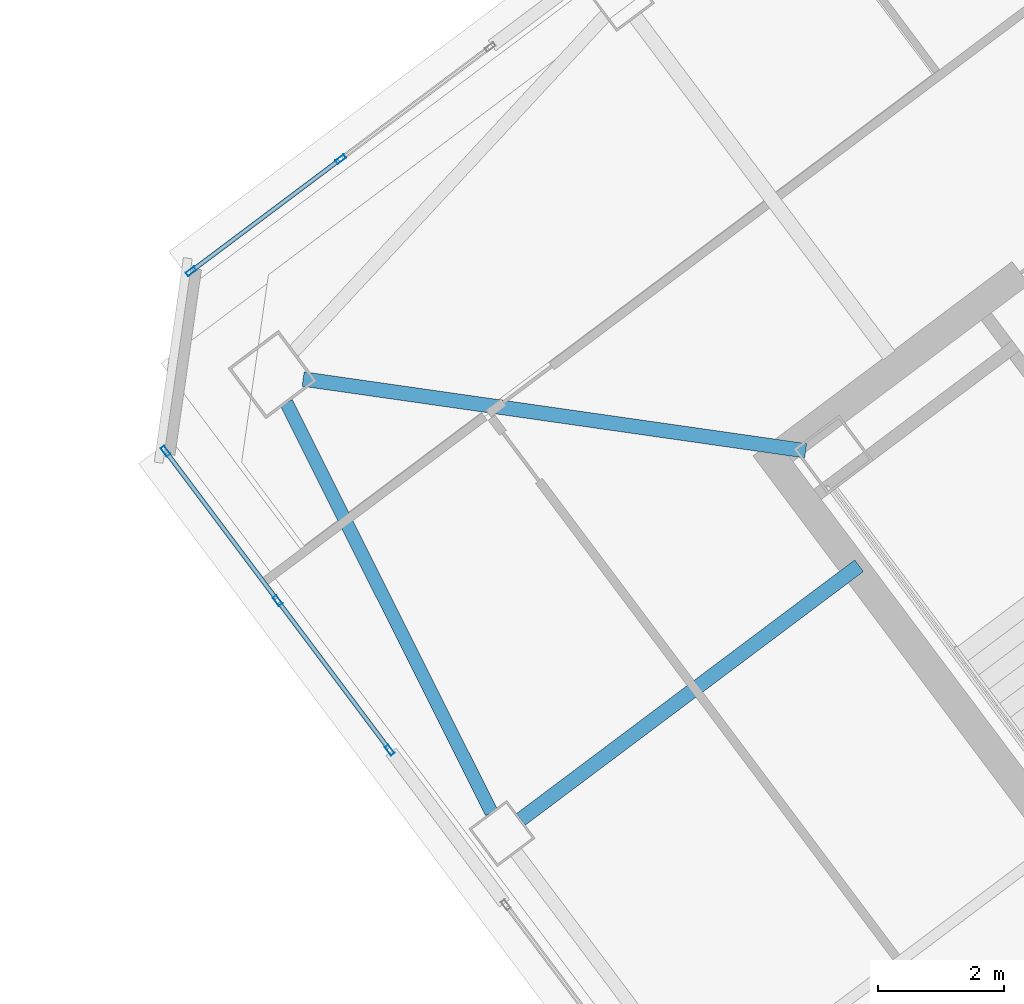
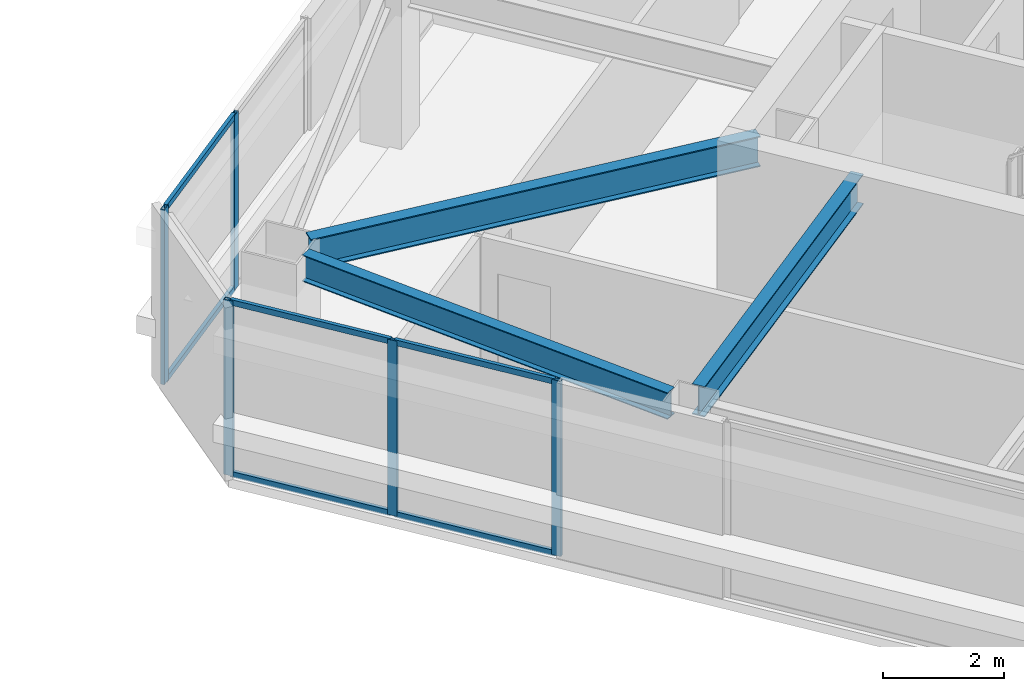
# One storey, part 19 of 39: 11 members, 3 beams, 2 elements without a shape of their own.
"""IFC4 building model written with IfcOpenShell, lengths in metres."""

from ifc_helpers import new_model, si_unit, direction, frame, origin, origin_2d, place, context, subcontext, project, spatial, hollow_rectangle, i_section, extrude, material, material_profile, profile_set, type_object, element, aggregate, save


model = new_model("IFC4")

# Units and contexts
model_context = context("Model", 3, precision=1e-05, world=origin(), true_north=direction((0.0, 1.0)))
body_context = subcontext(model_context, "Body", "Model", "MODEL_VIEW")
ifc_project = project(units=[si_unit("LENGTHUNIT", "METRE"), si_unit("AREAUNIT", "SQUARE_METRE"), si_unit("VOLUMEUNIT", "CUBIC_METRE"), si_unit("PLANEANGLEUNIT", "RADIAN"), si_unit("MASSUNIT", "GRAM", prefix="KILO")], contexts=[model_context])

# Site, building, storey
site_placement = place(None, origin())
site = spatial("IfcSite", under=ifc_project, at=site_placement, CompositionType="ELEMENT")
building_placement = place(site_placement, origin())
building = spatial("IfcBuilding", under=site, at=building_placement, Name="Tashvorn Skyway Center", CompositionType="ELEMENT")
storey_placement = place(building_placement, frame((0.0, 0.0, 214.85009765625)))
storey = spatial("IfcBuildingStorey", under=building, at=storey_placement, Name="L58", CompositionType="ELEMENT", Elevation=214.85009765625)

# Beams
ifc_material_1 = material(Name="Steel ASTM A992 Grade 50", Category="steel")
ifc_material_profile_1 = material_profile(ifc_material_1, i_section(OverallWidth=0.22998046875, OverallDepth=0.616943359375, WebThickness=0.01318359375, FlangeThickness=0.022216796875, at=origin_2d()), Name="W24X94")
ifc_profile_set_1 = profile_set([ifc_material_profile_1], Name="Steel ASTM A992 Grade 50")
beam_type_1 = type_object("IfcBeamType", Name="BM-BEAM-W24X94", PredefinedType="BEAM", material=ifc_profile_set_1)
beam_1_placement = place(storey_placement, frame((95.72998046875, 34.610107421875, 3.0615234375), z_axis=(0.989947064346, -0.141438360399, 0.0), x_axis=(0.141438360399, 0.989947064346, 0.0)))
element("IfcBeam", 1, at=beam_1_placement, inside=storey, type_object=beam_type_1, Name="Tower 2 L58 Primary Floor Girder MC-NW", PredefinedType="BEAM", context=body_context, shape_type="SweptSolid", body=[
    extrude(i_section(OverallWidth=0.22998046875, OverallDepth=0.616943359375, WebThickness=0.01318359375, FlangeThickness=0.022216796875, at=origin_2d()), origin(), (0.0, 0.0, 1.0), 8.040283203125),
])
beam_2_placement = place(storey_placement, frame((99.176025390625, 27.632080078125, 3.0615234375), z_axis=(0.799991254452, 0.600011660554, 0.0), x_axis=(-0.600011660554, 0.799991254452, 0.0)))
element("IfcBeam", 2, at=beam_2_placement, inside=storey, type_object=beam_type_1, Name="Tower 2 L58 Primary Floor Girder FC-W1", PredefinedType="BEAM", context=body_context, shape_type="SweptSolid", body=[
    extrude(i_section(OverallWidth=0.22998046875, OverallDepth=0.616943359375, WebThickness=0.01318359375, FlangeThickness=0.022216796875, at=origin_2d()), origin(), (0.0, 0.0, 1.0), 6.699951171875),
])
ifc_material_profile_2 = material_profile(ifc_material_1, i_section(OverallWidth=0.2109375, OverallDepth=0.5390625, WebThickness=0.01171875, FlangeThickness=0.018798828125, at=origin_2d()), Name="W21X73")
ifc_profile_set_2 = profile_set([ifc_material_profile_2], Name="Steel ASTM A992 Grade 50")
beam_type_2 = type_object("IfcBeamType", Name="BM-SPANDREL-W21X73", PredefinedType="SPANDREL", material=ifc_profile_set_2)
beam_3_placement = place(storey_placement, frame((95.461669921875, 34.2373046875, 3.100341796875), z_axis=(0.447710870872, -0.894178380472, 0.0), x_axis=(0.894178380472, 0.447710870872, 0.0)))
element("IfcBeam", 3, at=beam_3_placement, inside=storey, type_object=beam_type_2, Name="Tower 2 L58 Spandrel Beam 10", PredefinedType="SPANDREL", context=body_context, shape_type="SweptSolid", body=[
    extrude(i_section(OverallWidth=0.2109375, OverallDepth=0.5390625, WebThickness=0.01171875, FlangeThickness=0.018798828125, at=origin_2d()), origin(), (0.0, 0.0, 1.0), 7.26513671875),
])

# Curtain wall, members
ifc_material_2 = material(Name="Thermally broken bronze-anodized aluminium 6063-T6", Category="aluminium")
curtain_wall_type = type_object("IfcCurtainWallType", Name="CW-CW-Z5", PredefinedType="NOTDEFINED", material=ifc_material_2)
curtain_wall_1_placement = place(storey_placement, origin())
curtain_wall_1 = element("IfcCurtainWall", 4, at=curtain_wall_1_placement, inside=storey, type_object=curtain_wall_type, Name="Tower 2 L58 West Unitised Curtain Wall Glazing Group 3", PredefinedType="NOTDEFINED")
ifc_material_profile_3 = material_profile(ifc_material_2, hollow_rectangle(XDim=0.070068359375, YDim=0.1650390625, WallThickness=0.00390625, at=origin_2d()), Name="ALU-MULL-70x165")
ifc_profile_set_3 = profile_set([ifc_material_profile_3], Name="Thermally broken bronze-anodized aluminium 6063-T6")
member_type_1 = type_object("IfcMemberType", Name="CWM-CW-Z5", PredefinedType="MULLION", material=ifc_profile_set_3)
member_1_placement = place(storey_placement, frame((97.101806640625, 28.731201171875, 0.0), z_axis=(0.0, 0.0, 1.0), x_axis=(-0.79999799704, -0.600002670604, 0.0)))
member_1 = element("IfcMember", 5, at=member_1_placement, type_object=member_type_1, Name="CW-Z5 mullion 1", PredefinedType="MULLION", context=body_context, shape_type="SweptSolid", body=[
    extrude(hollow_rectangle(XDim=0.070068359375, YDim=0.1650390625, WallThickness=0.00390625, at=origin_2d()), origin(), (0.0, 0.0, 1.0), 3.5498046875),
])
member_2_placement = place(storey_placement, frame((95.325439453125, 31.099609375, 0.0), z_axis=(0.0, 0.0, 1.0), x_axis=(-0.79999799704, -0.600002670604, 0.0)))
member_2 = element("IfcMember", 6, at=member_2_placement, type_object=member_type_1, Name="CW-Z5 mullion 2", PredefinedType="MULLION", context=body_context, shape_type="SweptSolid", body=[
    extrude(hollow_rectangle(XDim=0.070068359375, YDim=0.1650390625, WallThickness=0.00390625, at=origin_2d()), origin(), (0.0, 0.0, 1.0), 3.5498046875),
])
member_3_placement = place(storey_placement, frame((93.549072265625, 33.468017578125, 0.0), z_axis=(0.0, 0.0, 1.0), x_axis=(-0.79999799704, -0.600002670604, 0.0)))
member_3 = element("IfcMember", 7, at=member_3_placement, type_object=member_type_1, Name="CW-Z5 mullion 3", PredefinedType="MULLION", context=body_context, shape_type="SweptSolid", body=[
    extrude(hollow_rectangle(XDim=0.070068359375, YDim=0.1650390625, WallThickness=0.00390625, at=origin_2d()), origin(), (0.0, 0.0, 1.0), 3.5498046875),
])

curtain_wall_2_placement = place(storey_placement, origin())
curtain_wall_2 = element("IfcCurtainWall", 8, at=curtain_wall_2_placement, inside=storey, type_object=curtain_wall_type, Name="Tower 2 L58 North Unitised Curtain Wall Glazing Group 1", PredefinedType="NOTDEFINED")
member_4_placement = place(storey_placement, frame((93.9560546875, 36.31689453125, 0.0), z_axis=(0.0, 0.0, 1.0), x_axis=(-0.600002670604, 0.79999799704, 0.0)))
member_4 = element("IfcMember", 9, at=member_4_placement, type_object=member_type_1, Name="CW-Z5 mullion 1", PredefinedType="MULLION", context=body_context, shape_type="SweptSolid", body=[
    extrude(hollow_rectangle(XDim=0.070068359375, YDim=0.1650390625, WallThickness=0.00390625, at=origin_2d()), origin(), (0.0, 0.0, 1.0), 3.5498046875),
])
member_5_placement = place(storey_placement, frame((96.324462890625, 38.09326171875, 0.0), z_axis=(0.0, 0.0, 1.0), x_axis=(-0.600002670604, 0.79999799704, 0.0)))
member_5 = element("IfcMember", 10, at=member_5_placement, type_object=member_type_1, Name="CW-Z5 mullion 2", PredefinedType="MULLION", context=body_context, shape_type="SweptSolid", body=[
    extrude(hollow_rectangle(XDim=0.070068359375, YDim=0.1650390625, WallThickness=0.00390625, at=origin_2d()), origin(), (0.0, 0.0, 1.0), 3.5498046875),
])

# Member
ifc_material_profile_4 = material_profile(ifc_material_2, hollow_rectangle(XDim=0.070068359375, YDim=0.114990234375, WallThickness=0.00390625, at=origin_2d()), Name="ALU-TRAN-70x115")
ifc_profile_set_4 = profile_set([ifc_material_profile_4], Name="Thermally broken bronze-anodized aluminium 6063-T6")
member_type_2 = type_object("IfcMemberType", Name="CWT-CW-Z5", PredefinedType="USERDEFINED", material=ifc_profile_set_4)
member_6_placement = place(storey_placement, frame((97.080810546875, 28.759033203125, 0.034912109375), z_axis=(-0.6, 0.8, 0.0), x_axis=(-0.8, -0.6, 0.0)))
member_6 = element("IfcMember", 11, at=member_6_placement, type_object=member_type_2, Name="CW-Z5 transom 1.1", ObjectType="TRANSOM", PredefinedType="USERDEFINED", context=body_context, shape_type="SweptSolid", body=[
    extrude(hollow_rectangle(XDim=0.070068359375, YDim=0.114990234375, WallThickness=0.00390625, at=origin_2d()), origin(), (0.0, 0.0, 1.0), 2.890625),
])

member_7_placement = place(storey_placement, frame((97.080810546875, 28.759033203125, 3.514892578125), z_axis=(-0.6, 0.8, 0.0), x_axis=(-0.8, -0.6, 0.0)))
member_7 = element("IfcMember", 12, at=member_7_placement, type_object=member_type_2, Name="CW-Z5 transom 1.2", ObjectType="TRANSOM", PredefinedType="USERDEFINED", context=body_context, shape_type="SweptSolid", body=[
    extrude(hollow_rectangle(XDim=0.070068359375, YDim=0.114990234375, WallThickness=0.00390625, at=origin_2d()), origin(), (0.0, 0.0, 1.0), 2.890625),
])

member_8_placement = place(storey_placement, frame((95.304443359375, 31.12744140625, 0.034912109375), z_axis=(-0.6, 0.8, 0.0), x_axis=(-0.8, -0.6, 0.0)))
member_8 = element("IfcMember", 13, at=member_8_placement, type_object=member_type_2, Name="CW-Z5 transom 2.1", ObjectType="TRANSOM", PredefinedType="USERDEFINED", context=body_context, shape_type="SweptSolid", body=[
    extrude(hollow_rectangle(XDim=0.070068359375, YDim=0.114990234375, WallThickness=0.00390625, at=origin_2d()), origin(), (0.0, 0.0, 1.0), 2.890625),
])

member_9_placement = place(storey_placement, frame((95.304443359375, 31.12744140625, 3.514892578125), z_axis=(-0.6, 0.8, 0.0), x_axis=(-0.8, -0.6, 0.0)))
member_9 = element("IfcMember", 14, at=member_9_placement, type_object=member_type_2, Name="CW-Z5 transom 2.2", ObjectType="TRANSOM", PredefinedType="USERDEFINED", context=body_context, shape_type="SweptSolid", body=[
    extrude(hollow_rectangle(XDim=0.070068359375, YDim=0.114990234375, WallThickness=0.00390625, at=origin_2d()), origin(), (0.0, 0.0, 1.0), 2.890625),
])

aggregate(curtain_wall_1, [member_1, member_2, member_3, member_6, member_7, member_8, member_9])

member_10_placement = place(storey_placement, frame((93.98388671875, 36.337890625, 0.034912109375), z_axis=(0.8, 0.6, 0.0), x_axis=(-0.6, 0.8, 0.0)))
member_10 = element("IfcMember", 15, at=member_10_placement, type_object=member_type_2, Name="CW-Z5 transom 1.1", ObjectType="TRANSOM", PredefinedType="USERDEFINED", context=body_context, shape_type="SweptSolid", body=[
    extrude(hollow_rectangle(XDim=0.070068359375, YDim=0.114990234375, WallThickness=0.00390625, at=origin_2d()), origin(), (0.0, 0.0, 1.0), 2.890625),
])

member_11_placement = place(storey_placement, frame((93.98388671875, 36.337890625, 3.514892578125), z_axis=(0.8, 0.6, 0.0), x_axis=(-0.6, 0.8, 0.0)))
member_11 = element("IfcMember", 16, at=member_11_placement, type_object=member_type_2, Name="CW-Z5 transom 1.2", ObjectType="TRANSOM", PredefinedType="USERDEFINED", context=body_context, shape_type="SweptSolid", body=[
    extrude(hollow_rectangle(XDim=0.070068359375, YDim=0.114990234375, WallThickness=0.00390625, at=origin_2d()), origin(), (0.0, 0.0, 1.0), 2.890625),
])

aggregate(curtain_wall_2, [member_4, member_5, member_10, member_11])

save(model, "model.ifc")
